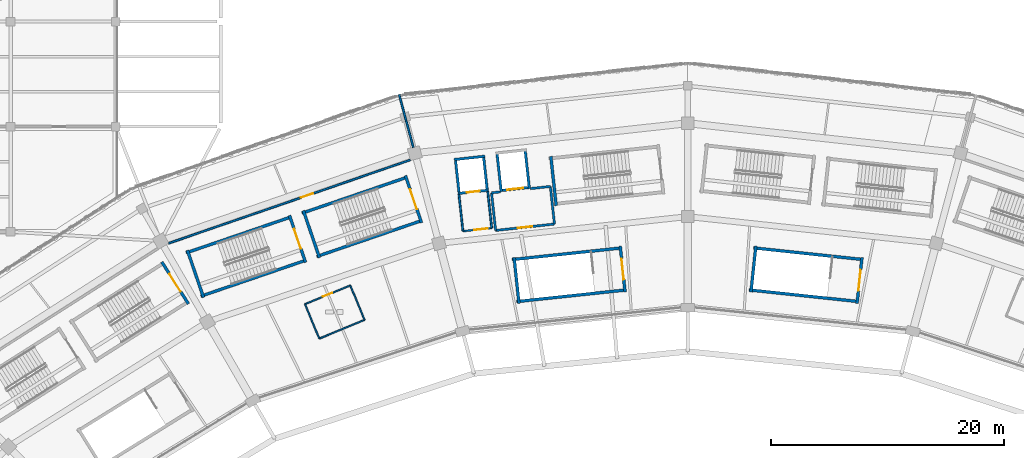
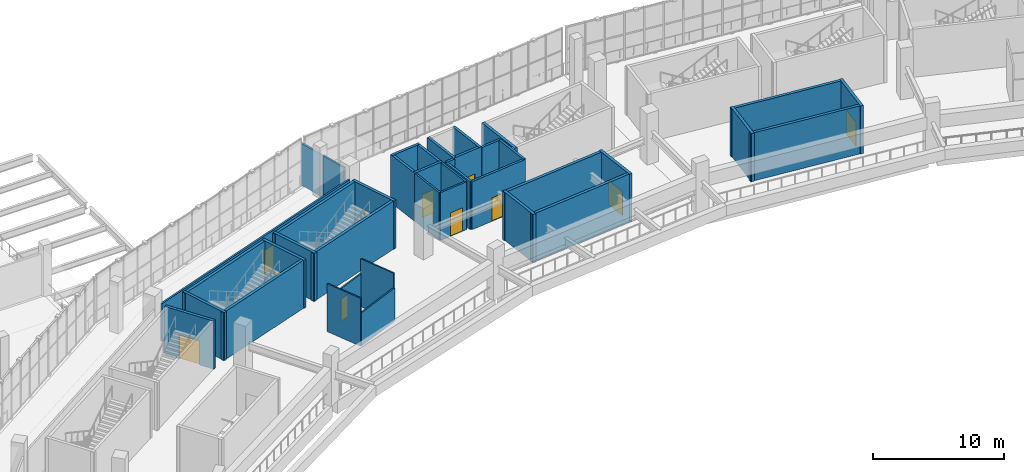
# One storey, part 109 of 179: 40 walls, 11 doors, 11 openings.
"""IFC4 building model written with IfcOpenShell, lengths in metres."""

from ifc_helpers import new_model, si_unit, direction, frame, frame_2d, origin, place, context, subcontext, project, spatial, rectangle, extrude, material, layer, layer_set, type_object, element, fill, save


model = new_model("IFC4")

# Units and contexts
model_context = context("Model", 3, precision=1e-05, world=origin(), true_north=direction((0.0, 1.0)))
body_context = subcontext(model_context, "Body", "Model", "MODEL_VIEW")
ifc_project = project(units=[si_unit("LENGTHUNIT", "METRE"), si_unit("AREAUNIT", "SQUARE_METRE"), si_unit("VOLUMEUNIT", "CUBIC_METRE"), si_unit("PLANEANGLEUNIT", "RADIAN"), si_unit("MASSUNIT", "GRAM", prefix="KILO")], contexts=[model_context])

# Site, building, storey
site_placement = place(None, origin())
site = spatial("IfcSite", under=ifc_project, at=site_placement, CompositionType="ELEMENT")
building_placement = place(site_placement, origin())
building = spatial("IfcBuilding", under=site, at=building_placement, Name="Zevraka Park Crest Stadium", CompositionType="ELEMENT")
storey_placement = place(building_placement, frame((0.0, 0.0, 10.199951171875)))
storey = spatial("IfcBuildingStorey", under=building, at=storey_placement, Name="L02", CompositionType="ELEMENT", Elevation=10.199951171875)

# Walls
ifc_material_1 = material(Name="Autoclaved aerated masonry blockwork", Category="masonry")
ifc_layer_1 = layer(ifc_material_1, 0.199951171875)
ifc_layer_set_1 = layer_set([ifc_layer_1], Name="Autoclaved aerated masonry blockwork")
wall_type_1 = type_object("IfcWallType", Name="IW01", PredefinedType="PARTITIONING", material=ifc_layer_set_1)
wall_1_placement = place(storey_placement, frame((95.195068359375, 161.3349609375, 0.0), z_axis=(0.0, 0.0, 1.0), x_axis=(0.994146742738, 0.108038205757, 0.0)))
element("IfcWall", 1, at=wall_1_placement, inside=storey, type_object=wall_type_1, Name="Firefighting Lift Lobby Wall IW01 FL02 L02 BACKL", PredefinedType="PARTITIONING", context=body_context, shape_type="SweptSolid", body=[
    extrude(rectangle(XDim=0.750244140625, YDim=0.199951171875, at=frame_2d((0.375, 0.0))), origin(), (0.0, 0.0, 1.0), 4.47998046875),
])
wall_2_placement = place(storey_placement, frame((98.52490234375, 161.697998046875, 0.0), z_axis=(0.0, 0.0, 1.0), x_axis=(0.994135511072, 0.108141507414, 0.0)))
element("IfcWall", 2, at=wall_2_placement, inside=storey, type_object=wall_type_1, Name="Firefighting Lift Lobby Wall IW01 FL02 L02 BACKR", PredefinedType="PARTITIONING", context=body_context, shape_type="SweptSolid", body=[
    extrude(rectangle(XDim=1.72021484375, YDim=0.199951171875, at=frame_2d((0.860107421875, 0.0))), origin(), (0.0, 0.0, 1.0), 4.47998046875),
])
for number, where, z_axis, x_axis, name in (
    (3, (95.195068359375, 161.3349609375, 0.0), (0.0, 0.0, 1.0), (0.108280975823, -0.994120329877, 0.0), "Firefighting Lift Lobby Wall IW01 FL02 L02 LEFT"),
    (4, (100.235107421875, 161.884033203125, 0.0), (0.0, 0.0, 1.0), (0.108280975823, -0.994120329877, 0.0), "Firefighting Lift Lobby Wall IW01 FL02 L02 RIGHT"),
):
    element("IfcWall", number, at=place(storey_placement, frame(where, z_axis=z_axis, x_axis=x_axis)), inside=storey, type_object=wall_type_1, Name=name, PredefinedType="PARTITIONING", context=body_context, shape_type="SweptSolid", body=[
        extrude(rectangle(XDim=3.239990234375, YDim=0.199951171875, at=frame_2d((1.6201171875, 0.0))), origin(), (0.0, 0.0, 1.0), 4.47998046875),
    ])

# Wall, opening, door
wall_3_placement = place(storey_placement, frame((95.5458984375, 158.114013671875, 0.0), z_axis=(0.0, 0.0, 1.0), x_axis=(0.994118117986, 0.108301281116, 0.0)))
wall_3 = element("IfcWall", 5, at=wall_3_placement, inside=storey, type_object=wall_type_1, Name="Firefighting Lift Lobby Wall IW01 FL02 L02 FRONT", PredefinedType="PARTITIONING", context=body_context, shape_type="SweptSolid", body=[
    extrude(rectangle(XDim=5.06982421875, YDim=0.199951171875, at=frame_2d((2.534912109375, 0.0))), origin(), (0.0, 0.0, 1.0), 4.47998046875),
])
opening_1_placement = place(wall_3_placement, frame((1.909912109375, 0.0, 0.0)))
opening_1 = element("IfcOpeningElement", 6, at=opening_1_placement, cuts=wall_3, Name="Opening D-L02-297", PredefinedType="OPENING", context=body_context, shape_type="SweptSolid", body=[
    extrude(rectangle(XDim=1.25, YDim=2.199951171875, at=frame_2d((0.625, 1.10009765625))), frame((0.0, 0.10986328125, 0.0), z_axis=(0.0, -1.0, 0.0), x_axis=(1.0, 0.0, 0.0)), (0.0, 0.0, 1.0), 0.219970703125),
])
ifc_material_2 = material(Name="Solid-core hardwood timber leaf in steel frame", Category="steel")
door_type_1 = type_object("IfcDoorType", Name="DR07", OperationType="NOTDEFINED", PredefinedType="DOOR", material=ifc_material_2)
door_1_placement = place(opening_1_placement, origin())
door_1 = element("IfcDoor", 7, at=door_1_placement, inside=storey, type_object=door_type_1, Name="Firefighting Lift Lobby FL02 Door D-L02-297", OperationType="SINGLE_SWING_LEFT", OverallHeight=2.199951171875, OverallWidth=1.25, PredefinedType="DOOR", context=body_context, shape_type="SweptSolid", body=[
    extrude(rectangle(XDim=1.25, YDim=2.199951171875, at=frame_2d((0.625, 1.10009765625))), frame((0.0, 0.02490234375, 0.0), z_axis=(0.0, -1.0, 0.0), x_axis=(1.0, 0.0, 0.0)), (0.0, 0.0, 1.0), 0.050048828125),
])
fill(opening_1, door_1)

# Walls
ifc_material_3 = material(Name="Fire-rated twin-stud acoustic drywall", Category="other")
ifc_layer_2 = layer(ifc_material_3, 0.159912109375)
ifc_layer_set_2 = layer_set([ifc_layer_2], Name="Fire-rated twin-stud acoustic drywall")
wall_type_2 = type_object("IfcWallType", Name="IW02", PredefinedType="PARTITIONING", material=ifc_layer_set_2)
wall_4_placement = place(storey_placement, frame((92.403076171875, 161.200927734375, 0.0), z_axis=(0.0, 0.0, 1.0), x_axis=(0.108800302456, -0.99406362683, 0.0)))
element("IfcWall", 8, at=wall_4_placement, inside=storey, type_object=wall_type_2, Name="Passenger Lift Lobby Wall IW02 PL02 L02 LEFT", PredefinedType="PARTITIONING", context=body_context, shape_type="SweptSolid", body=[
    extrude(rectangle(XDim=3.170654296875, YDim=0.159912109375, at=frame_2d((1.58544921875, 0.0))), origin(), (0.0, 0.0, 1.0), 4.47998046875),
])
wall_5_placement = place(storey_placement, frame((94.868896484375, 161.469970703125, 0.0), z_axis=(0.0, 0.0, 1.0), x_axis=(0.108909733757, -0.994051643474, 0.0)))
element("IfcWall", 9, at=wall_5_placement, inside=storey, type_object=wall_type_2, Name="Passenger Lift Lobby Wall IW02 PL02 L02 RIGHT", PredefinedType="PARTITIONING", context=body_context, shape_type="SweptSolid", body=[
    extrude(rectangle(XDim=3.169677734375, YDim=0.159912109375, at=frame_2d((1.5849609375, 0.0))), origin(), (0.0, 0.0, 1.0), 4.47998046875),
])

# Wall, opening, door
wall_6_placement = place(storey_placement, frame((92.748046875, 158.049072265625, 0.0), z_axis=(0.0, 0.0, 1.0), x_axis=(0.994058887757, 0.1088435927, 0.0)))
wall_6 = element("IfcWall", 10, at=wall_6_placement, inside=storey, type_object=wall_type_2, Name="Passenger Lift Lobby Wall IW02 PL02 L02 FRONT", PredefinedType="PARTITIONING", context=body_context, shape_type="SweptSolid", body=[
    extrude(rectangle(XDim=2.480712890625, YDim=0.159912109375, at=frame_2d((1.240234375, 0.0))), origin(), (0.0, 0.0, 1.0), 4.47998046875),
])
opening_2_placement = place(wall_6_placement, frame((0.962890625, 0.0, 0.0)))
opening_2 = element("IfcOpeningElement", 11, at=opening_2_placement, cuts=wall_6, Name="Opening D-L02-303", PredefinedType="OPENING", context=body_context, shape_type="SweptSolid", body=[
    extrude(rectangle(XDim=1.14990234375, YDim=2.199951171875, at=frame_2d((0.574951171875, 1.10009765625))), frame((0.0, 0.08984375, 0.0), z_axis=(0.0, -1.0, 0.0), x_axis=(1.0, 0.0, 0.0)), (0.0, 0.0, 1.0), 0.179931640625),
])
ifc_material_4 = material(Name="Solid-core hardwood timber leaf in steel frame", Category="steel")
door_type_2 = type_object("IfcDoorType", Name="DR03", OperationType="NOTDEFINED", PredefinedType="DOOR", material=ifc_material_4)
door_2_placement = place(opening_2_placement, origin())
door_2 = element("IfcDoor", 12, at=door_2_placement, inside=storey, type_object=door_type_2, Name="Passenger Lift Lobby PL02 Door D-L02-303", OperationType="SINGLE_SWING_LEFT", OverallHeight=2.199951171875, OverallWidth=1.14990234375, PredefinedType="DOOR", context=body_context, shape_type="SweptSolid", body=[
    extrude(rectangle(XDim=1.14990234375, YDim=2.199951171875, at=frame_2d((0.574951171875, 1.10009765625))), frame((0.0, 0.02490234375, 0.0), z_axis=(0.0, -1.0, 0.0), x_axis=(1.0, 0.0, 0.0)), (0.0, 0.0, 1.0), 0.050048828125),
])
fill(opening_2, door_2)

wall_7_placement = place(storey_placement, frame((88.25390625, 164.162109375, 0.0), z_axis=(0.0, 0.0, 1.0), x_axis=(-0.94529233531, -0.326224463834, 0.0)))
wall_7 = element("IfcWall", 13, at=wall_7_placement, inside=storey, type_object=wall_type_2, Name="Interior Partition IW02 North Park Banquet Hall L02", PredefinedType="PARTITIONING", context=body_context, shape_type="SweptSolid", body=[
    extrude(rectangle(XDim=21.948486328125, YDim=0.159912109375, at=frame_2d((10.97412109375, 0.0))), origin(), (0.0, 0.0, 1.0), 3.56494140625),
])
opening_3_placement = place(wall_7_placement, frame((8.843017578125, 0.0, 0.0)))
opening_3 = element("IfcOpeningElement", 14, at=opening_3_placement, cuts=wall_7, Name="Opening D-L02-404", PredefinedType="OPENING", context=body_context, shape_type="SweptSolid", body=[
    extrude(rectangle(XDim=1.10009765625, YDim=2.14990234375, at=frame_2d((0.550048828125, 1.074951171875))), frame((0.0, 0.08984375, 0.0), z_axis=(0.0, -1.0, 0.0), x_axis=(1.0, 0.0, 0.0)), (0.0, 0.0, 1.0), 0.179931640625),
])
ifc_material_5 = material(Name="Solid-core hardwood timber leaf in steel frame", Category="steel")
door_type_3 = type_object("IfcDoorType", Name="DR10", OperationType="NOTDEFINED", PredefinedType="DOOR", material=ifc_material_5)
door_3_placement = place(opening_3_placement, origin())
door_3 = element("IfcDoor", 15, at=door_3_placement, inside=storey, type_object=door_type_3, Name="North Park Banquet Hall Door D-L02-404", OperationType="SINGLE_SWING_LEFT", OverallHeight=2.14990234375, OverallWidth=1.10009765625, PredefinedType="DOOR", context=body_context, shape_type="SweptSolid", body=[
    extrude(rectangle(XDim=1.10009765625, YDim=2.14990234375, at=frame_2d((0.550048828125, 1.074951171875))), frame((0.0, 0.02490234375, 0.0), z_axis=(0.0, -1.0, 0.0), x_axis=(1.0, 0.0, 0.0)), (0.0, 0.0, 1.0), 0.050048828125),
])
fill(opening_3, door_3)

# Walls
wall_8_placement = place(storey_placement, frame((88.4970703125, 165.22705078125, 0.0), z_axis=(0.0, 0.0, 1.0), x_axis=(-0.258875784953, 0.965910621106, 0.0)))
element("IfcWall", 16, at=wall_8_placement, inside=storey, type_object=wall_type_2, Name="Interior Partition IW02 North Park Banquet Hall L02", PredefinedType="PARTITIONING", context=body_context, shape_type="SweptSolid", body=[
    extrude(rectangle(XDim=2.329345703125, YDim=0.159912109375, at=frame_2d((1.16455078125, 0.0))), origin(), (0.0, 0.0, 1.0), 3.9150390625),
])
wall_9_placement = place(storey_placement, frame((87.89697265625, 167.4619140625, 0.0), z_axis=(0.0, 0.0, 1.0), x_axis=(-0.258436451023, 0.966028260861, 0.0)))
element("IfcWall", 17, at=wall_9_placement, inside=storey, type_object=wall_type_2, Name="Interior Partition IW02 North Park Banquet Hall L02", PredefinedType="PARTITIONING", context=body_context, shape_type="SweptSolid", body=[
    extrude(rectangle(XDim=2.3759765625, YDim=0.159912109375, at=frame_2d((1.18798828125, 0.0))), origin(), (0.0, 0.0, 1.0), 3.9150390625),
])
ifc_material_6 = material(Name="Moisture-resistant sanitary partition", Category="other")
ifc_layer_3 = layer(ifc_material_6, 0.1201171875)
ifc_layer_set_3 = layer_set([ifc_layer_3], Name="Moisture-resistant sanitary partition")
wall_type_3 = type_object("IfcWallType", Name="IW04", PredefinedType="PARTITIONING", material=ifc_layer_set_3)
wall_10_placement = place(storey_placement, frame((84.320068359375, 150.4541015625, 0.0), z_axis=(0.0, 0.0, 1.0), x_axis=(-0.92379928527, -0.38287710892, 0.0)))
element("IfcWall", 18, at=wall_10_placement, inside=storey, type_object=wall_type_3, Name="Sanitary Enclosure Wall IW04 Accessible WC L02-003-1", PredefinedType="PARTITIONING", context=body_context, shape_type="SweptSolid", body=[
    extrude(rectangle(XDim=4.2001953125, YDim=0.1201171875, at=frame_2d((2.10009765625, 0.0))), origin(), (0.0, 0.0, 1.0), 3.113037109375),
])
wall_11_placement = place(storey_placement, frame((80.43994140625, 148.845947265625, 0.0), z_axis=(0.0, 0.0, 1.0), x_axis=(-0.382425909773, 0.923986159818, 0.0)))
element("IfcWall", 19, at=wall_11_placement, inside=storey, type_object=wall_type_3, Name="Sanitary Enclosure Wall IW04 Accessible WC L02-003-2", PredefinedType="PARTITIONING", context=body_context, shape_type="SweptSolid", body=[
    extrude(rectangle(XDim=3.2001953125, YDim=0.1201171875, at=frame_2d((1.60009765625, 0.0))), origin(), (0.0, 0.0, 1.0), 4.47998046875),
])

# Wall, opening, door
wall_12_placement = place(storey_placement, frame((79.216064453125, 151.802978515625, 0.0), z_axis=(0.0, 0.0, 1.0), x_axis=(0.923893548413, 0.382649593233, 0.0)))
wall_12 = element("IfcWall", 20, at=wall_12_placement, inside=storey, type_object=wall_type_3, Name="Sanitary Enclosure Wall IW04 Accessible WC L02-003-3", PredefinedType="PARTITIONING", context=body_context, shape_type="SweptSolid", body=[
    extrude(rectangle(XDim=4.199462890625, YDim=0.1201171875, at=frame_2d((2.099609375, 0.0))), origin(), (0.0, 0.0, 1.0), 3.113037109375),
])
opening_4_placement = place(wall_12_placement, frame((1.659912109375, 0.0, 0.0)))
opening_4 = element("IfcOpeningElement", 21, at=opening_4_placement, cuts=wall_12, Name="Opening D-L02-345", PredefinedType="OPENING", context=body_context, shape_type="SweptSolid", body=[
    extrude(rectangle(XDim=0.8798828125, YDim=2.10009765625, at=frame_2d((0.43994140625, 1.050048828125))), frame((0.0, 0.070068359375, 0.0), z_axis=(0.0, -1.0, 0.0), x_axis=(1.0, 0.0, 0.0)), (0.0, 0.0, 1.0), 0.14013671875),
])
ifc_material_7 = material(Name="Solid-core hardwood timber leaf in steel frame", Category="steel")
door_type_4 = type_object("IfcDoorType", Name="DR19", OperationType="NOTDEFINED", PredefinedType="DOOR", material=ifc_material_7)
door_4_placement = place(opening_4_placement, origin())
door_4 = element("IfcDoor", 22, at=door_4_placement, inside=storey, type_object=door_type_4, Name="Accessible WC Door D-L02-345", OperationType="SINGLE_SWING_LEFT", OverallHeight=2.10009765625, OverallWidth=0.8798828125, PredefinedType="DOOR", context=body_context, shape_type="SweptSolid", body=[
    extrude(rectangle(XDim=0.8798828125, YDim=2.10009765625, at=frame_2d((0.43994140625, 1.050048828125))), frame((0.0, 0.02490234375, 0.0), z_axis=(0.0, -1.0, 0.0), x_axis=(1.0, 0.0, 0.0)), (0.0, 0.0, 1.0), 0.050048828125),
])
fill(opening_4, door_4)

# Walls
wall_13_placement = place(storey_placement, frame((83.095947265625, 153.409912109375, 0.0), z_axis=(0.0, 0.0, 1.0), x_axis=(0.382625877527, -0.923903370406, 0.0)))
element("IfcWall", 23, at=wall_13_placement, inside=storey, type_object=wall_type_3, Name="Sanitary Enclosure Wall IW04 Accessible WC L02-003-4", PredefinedType="PARTITIONING", context=body_context, shape_type="SweptSolid", body=[
    extrude(rectangle(XDim=3.19921875, YDim=0.1201171875, at=frame_2d((1.599609375, 0.0))), origin(), (0.0, 0.0, 1.0), 4.47998046875),
])
ifc_material_8 = material(Name="Concrete C40/50", Category="concrete")
ifc_layer_4 = layer(ifc_material_8, 0.25)
ifc_layer_set_4 = layer_set([ifc_layer_4], Name="Concrete C40/50")
wall_type_4 = type_object("IfcWallType", Name="SW01", PredefinedType="SHEAR", material=ifc_layer_set_4)
wall_14_placement = place(storey_placement, frame((100.2744140625, 164.466064453125, 0.0), z_axis=(0.0, 0.0, 1.0), x_axis=(0.108204479885, -0.994128658944, 0.0)))
element("IfcWall", 24, at=wall_14_placement, inside=storey, type_object=wall_type_4, Name="Stair Core Shear Wall SW01 ST07 L02 far", PredefinedType="SHEAR", context=body_context, shape_type="SweptSolid", body=[
    extrude(rectangle(XDim=4.259765625, YDim=0.25, at=frame_2d((2.1298828125, 0.0))), origin(), (0.0, 0.0, 1.0), 4.5),
])
wall_15_placement = place(storey_placement, frame((87.99267578125, 162.685791015625, 0.0), z_axis=(0.0, 0.0, 1.0), x_axis=(-0.946064424228, -0.323978556712, 0.0)))
element("IfcWall", 25, at=wall_15_placement, inside=storey, type_object=wall_type_4, Name="Stair Core Shear Wall SW01 ST08 L02 left", PredefinedType="SHEAR", context=body_context, shape_type="SweptSolid", body=[
    extrude(rectangle(XDim=9.550048828125, YDim=0.25, at=frame_2d((4.77490234375, 0.0))), origin(), (0.0, 0.0, 1.0), 4.5),
])
wall_16_placement = place(storey_placement, frame((80.2275390625, 155.883056640625, 0.0), z_axis=(0.0, 0.0, 1.0), x_axis=(0.946067107432, 0.323970721263, 0.0)))
element("IfcWall", 26, at=wall_16_placement, inside=storey, type_object=wall_type_4, Name="Stair Core Shear Wall SW01 ST08 L02 right", PredefinedType="SHEAR", context=body_context, shape_type="SweptSolid", body=[
    extrude(rectangle(XDim=9.55029296875, YDim=0.25, at=frame_2d((4.775146484375, 0.0))), origin(), (0.0, 0.0, 1.0), 4.5),
])

# Wall, opening, door
wall_17_placement = place(storey_placement, frame((89.199462890625, 158.77587890625, 0.0), z_axis=(0.0, 0.0, 1.0), x_axis=(-0.323988758717, 0.946060930504, 0.0)))
wall_17 = element("IfcWall", 27, at=wall_17_placement, inside=storey, type_object=wall_type_4, Name="Stair Core Shear Wall SW01 ST08 L02 near", PredefinedType="SHEAR", context=body_context, shape_type="SweptSolid", body=[
    extrude(rectangle(XDim=4.259765625, YDim=0.25, at=frame_2d((2.1298828125, 0.0))), origin(), (0.0, 0.0, 1.0), 4.5),
])
opening_5_placement = place(wall_17_placement, frame((1.22998046875, 0.0, 0.0)))
opening_5 = element("IfcOpeningElement", 28, at=opening_5_placement, cuts=wall_17, Name="Opening D-L02-047", PredefinedType="OPENING", context=body_context, shape_type="SweptSolid", body=[
    extrude(rectangle(XDim=1.800048828125, YDim=2.25, at=frame_2d((0.89990234375, 1.125))), frame((0.0, 0.135009765625, 0.0), z_axis=(0.0, -1.0, 0.0), x_axis=(1.0, 0.0, 0.0)), (0.0, 0.0, 1.0), 0.27001953125),
])
ifc_material_9 = material(Name="Solid-core hardwood timber leaf in steel frame", Category="steel")
door_type_5 = type_object("IfcDoorType", Name="DR04", OperationType="NOTDEFINED", PredefinedType="DOOR", material=ifc_material_9)
door_5_placement = place(opening_5_placement, origin())
door_5 = element("IfcDoor", 29, at=door_5_placement, inside=storey, type_object=door_type_5, Name="Protected Stair Entry Door ST08 L02", OperationType="DOUBLE_DOOR_SINGLE_SWING", OverallHeight=2.25, OverallWidth=1.800048828125, PredefinedType="DOOR", context=body_context, shape_type="SweptSolid", body=[
    extrude(rectangle(XDim=1.800048828125, YDim=2.25, at=frame_2d((0.89990234375, 1.125))), frame((0.0, 0.02490234375, 0.0), z_axis=(0.0, -1.0, 0.0), x_axis=(1.0, 0.0, 0.0)), (0.0, 0.0, 1.0), 0.050048828125),
])
fill(opening_5, door_5)

# Wall
wall_18_placement = place(storey_placement, frame((79.07763671875, 159.8125, 0.0), z_axis=(0.0, 0.0, 1.0), x_axis=(0.323971192516, -0.946066946056, 0.0)))
element("IfcWall", 30, at=wall_18_placement, inside=storey, type_object=wall_type_4, Name="Stair Core Shear Wall SW01 ST08 L02 far", PredefinedType="SHEAR", context=body_context, shape_type="SweptSolid", body=[
    extrude(rectangle(XDim=4.260009765625, YDim=0.25, at=frame_2d((2.1298828125, 0.0))), origin(), (0.0, 0.0, 1.0), 4.5),
])

# Wall, opening, door
wall_19_placement = place(storey_placement, frame((69.232666015625, 151.822998046875, 0.0), z_axis=(0.0, 0.0, 1.0), x_axis=(-0.535684577572, 0.844418162613, 0.0)))
wall_19 = element("IfcWall", 31, at=wall_19_placement, inside=storey, type_object=wall_type_4, Name="Stair Core Shear Wall SW01 ST09 L02 near", PredefinedType="SHEAR", context=body_context, shape_type="SweptSolid", body=[
    extrude(rectangle(XDim=4.260009765625, YDim=0.25, at=frame_2d((2.1298828125, 0.0))), origin(), (0.0, 0.0, 1.0), 4.5),
])
opening_6_placement = place(wall_19_placement, frame((1.22998046875, 0.0, 0.0)))
opening_6 = element("IfcOpeningElement", 32, at=opening_6_placement, cuts=wall_19, Name="Opening D-L02-054", PredefinedType="OPENING", context=body_context, shape_type="SweptSolid", body=[
    extrude(rectangle(XDim=1.800048828125, YDim=2.25, at=frame_2d((0.89990234375, 1.125))), frame((0.0, 0.135009765625, 0.0), z_axis=(0.0, -1.0, 0.0), x_axis=(1.0, 0.0, 0.0)), (0.0, 0.0, 1.0), 0.27001953125),
])
door_6_placement = place(opening_6_placement, origin())
door_6 = element("IfcDoor", 33, at=door_6_placement, inside=storey, type_object=door_type_5, Name="Protected Stair Entry Door ST09 L02", OperationType="DOUBLE_DOOR_SINGLE_SWING", OverallHeight=2.25, OverallWidth=1.800048828125, PredefinedType="DOOR", context=body_context, shape_type="SweptSolid", body=[
    extrude(rectangle(XDim=1.800048828125, YDim=2.25, at=frame_2d((0.89990234375, 1.125))), frame((0.0, 0.02490234375, 0.0), z_axis=(0.0, -1.0, 0.0), x_axis=(1.0, 0.0, 0.0)), (0.0, 0.0, 1.0), 0.050048828125),
])
fill(opening_6, door_6)

# Walls
for number, where, z_axis, x_axis, name in (
    (34, (78.05859375, 159.28466796875, 0.0), (0.0, 0.0, 1.0), (-0.946064424228, -0.323978556712, 0.0), "Stair Core Shear Wall SW01 ST27 L02 left"),
    (35, (70.293701171875, 152.482177734375, 0.0), (0.0, 0.0, 1.0), (0.946064424228, 0.323978556712, 0.0), "Stair Core Shear Wall SW01 ST27 L02 right"),
):
    element("IfcWall", number, at=place(storey_placement, frame(where, z_axis=z_axis, x_axis=x_axis)), inside=storey, type_object=wall_type_4, Name=name, PredefinedType="SHEAR", context=body_context, shape_type="SweptSolid", body=[
        extrude(rectangle(XDim=9.550048828125, YDim=0.25, at=frame_2d((4.77490234375, 0.0))), origin(), (0.0, 0.0, 1.0), 4.5),
    ])

# Wall, opening, door
wall_20_placement = place(storey_placement, frame((79.265380859375, 155.374755859375, 0.0), z_axis=(0.0, 0.0, 1.0), x_axis=(-0.323971192516, 0.946066946056, 0.0)))
wall_20 = element("IfcWall", 36, at=wall_20_placement, inside=storey, type_object=wall_type_4, Name="Stair Core Shear Wall SW01 ST27 L02 near", PredefinedType="SHEAR", context=body_context, shape_type="SweptSolid", body=[
    extrude(rectangle(XDim=4.260009765625, YDim=0.25, at=frame_2d((2.1298828125, 0.0))), origin(), (0.0, 0.0, 1.0), 4.5),
])
opening_7_placement = place(wall_20_placement, frame((1.22998046875, 0.0, 0.0)))
opening_7 = element("IfcOpeningElement", 37, at=opening_7_placement, cuts=wall_20, Name="Opening D-L02-158", PredefinedType="OPENING", context=body_context, shape_type="SweptSolid", body=[
    extrude(rectangle(XDim=1.800048828125, YDim=2.25, at=frame_2d((0.89990234375, 1.125))), frame((0.0, 0.135009765625, 0.0), z_axis=(0.0, -1.0, 0.0), x_axis=(1.0, 0.0, 0.0)), (0.0, 0.0, 1.0), 0.27001953125),
])
door_7_placement = place(opening_7_placement, origin())
door_7 = element("IfcDoor", 38, at=door_7_placement, inside=storey, type_object=door_type_5, Name="Protected Stair Entry Door ST27 L02", OperationType="DOUBLE_DOOR_SINGLE_SWING", OverallHeight=2.25, OverallWidth=1.800048828125, PredefinedType="DOOR", context=body_context, shape_type="SweptSolid", body=[
    extrude(rectangle(XDim=1.800048828125, YDim=2.25, at=frame_2d((0.89990234375, 1.125))), frame((0.0, 0.02490234375, 0.0), z_axis=(0.0, -1.0, 0.0), x_axis=(1.0, 0.0, 0.0)), (0.0, 0.0, 1.0), 0.050048828125),
])
fill(opening_7, door_7)

# Walls
wall_21_placement = place(storey_placement, frame((69.1435546875, 156.411376953125, 0.0), z_axis=(0.0, 0.0, 1.0), x_axis=(0.323988758717, -0.946060930504, 0.0)))
element("IfcWall", 39, at=wall_21_placement, inside=storey, type_object=wall_type_4, Name="Stair Core Shear Wall SW01 ST27 L02 far", PredefinedType="SHEAR", context=body_context, shape_type="SweptSolid", body=[
    extrude(rectangle(XDim=4.259765625, YDim=0.25, at=frame_2d((2.1298828125, 0.0))), origin(), (0.0, 0.0, 1.0), 4.5),
])
for number, where, z_axis, x_axis, name in (
    (40, (127.0361328125, 155.6201171875, 0.0), (0.0, 0.0, 1.0), (-0.994382608826, 0.105845298736, 0.0), "Stair Core Shear Wall SW01 ST35 L02 left"),
    (41, (117.255859375, 153.020751953125, 0.0), (0.0, 0.0, 1.0), (0.994382608826, -0.105845298736, 0.0), "Stair Core Shear Wall SW01 ST35 L02 right"),
):
    element("IfcWall", number, at=place(storey_placement, frame(where, z_axis=z_axis, x_axis=x_axis)), inside=storey, type_object=wall_type_4, Name=name, PredefinedType="SHEAR", context=body_context, shape_type="SweptSolid", body=[
        extrude(rectangle(XDim=9.449951171875, YDim=0.25, at=frame_2d((4.72509765625, 0.0))), origin(), (0.0, 0.0, 1.0), 4.5),
    ])

# Wall, opening, door
wall_22_placement = place(storey_placement, frame((126.510498046875, 151.864501953125, 0.0), z_axis=(0.0, 0.0, 1.0), x_axis=(0.105856095603, 0.994381459513, 0.0)))
wall_22 = element("IfcWall", 42, at=wall_22_placement, inside=storey, type_object=wall_type_4, Name="Stair Core Shear Wall SW01 ST35 L02 near", PredefinedType="SHEAR", context=body_context, shape_type="SweptSolid", body=[
    extrude(rectangle(XDim=3.9599609375, YDim=0.25, at=frame_2d((1.97998046875, 0.0))), origin(), (0.0, 0.0, 1.0), 4.5),
])
opening_8_placement = place(wall_22_placement, frame((1.080078125, 0.0, 0.0)))
opening_8 = element("IfcOpeningElement", 43, at=opening_8_placement, cuts=wall_22, Name="Opening D-L02-196", PredefinedType="OPENING", context=body_context, shape_type="SweptSolid", body=[
    extrude(rectangle(XDim=1.800048828125, YDim=2.25, at=frame_2d((0.89990234375, 1.125))), frame((0.0, 0.135009765625, 0.0), z_axis=(0.0, -1.0, 0.0), x_axis=(1.0, 0.0, 0.0)), (0.0, 0.0, 1.0), 0.27001953125),
])
door_8_placement = place(opening_8_placement, origin())
door_8 = element("IfcDoor", 44, at=door_8_placement, inside=storey, type_object=door_type_5, Name="Protected Stair Entry Door ST35 L02", OperationType="DOUBLE_DOOR_SINGLE_SWING", OverallHeight=2.25, OverallWidth=1.800048828125, PredefinedType="DOOR", context=body_context, shape_type="SweptSolid", body=[
    extrude(rectangle(XDim=1.800048828125, YDim=2.25, at=frame_2d((0.89990234375, 1.125))), frame((0.0, 0.02490234375, 0.0), z_axis=(0.0, -1.0, 0.0), x_axis=(1.0, 0.0, 0.0)), (0.0, 0.0, 1.0), 0.050048828125),
])
fill(opening_8, door_8)

# Walls
wall_23_placement = place(storey_placement, frame((117.841064453125, 156.769775390625, 0.0), z_axis=(0.0, 0.0, 1.0), x_axis=(-0.105856095603, -0.994381459513, 0.0)))
element("IfcWall", 45, at=wall_23_placement, inside=storey, type_object=wall_type_4, Name="Stair Core Shear Wall SW01 ST35 L02 far", PredefinedType="SHEAR", context=body_context, shape_type="SweptSolid", body=[
    extrude(rectangle(XDim=3.9599609375, YDim=0.25, at=frame_2d((1.97998046875, 0.0))), origin(), (0.0, 0.0, 1.0), 4.5),
])
wall_24_placement = place(storey_placement, frame((106.361083984375, 156.6201171875, 0.0), z_axis=(0.0, 0.0, 1.0), x_axis=(-0.994379889371, -0.105870844028, 0.0)))
element("IfcWall", 46, at=wall_24_placement, inside=storey, type_object=wall_type_4, Name="Stair Core Shear Wall SW01 ST36 L02 left", PredefinedType="SHEAR", context=body_context, shape_type="SweptSolid", body=[
    extrude(rectangle(XDim=9.4501953125, YDim=0.25, at=frame_2d((4.72509765625, 0.0))), origin(), (0.0, 0.0, 1.0), 4.5),
])
wall_25_placement = place(storey_placement, frame((97.347412109375, 152.02001953125, 0.0), z_axis=(0.0, 0.0, 1.0), x_axis=(0.994382608826, 0.105845298736, 0.0)))
element("IfcWall", 47, at=wall_25_placement, inside=storey, type_object=wall_type_4, Name="Stair Core Shear Wall SW01 ST36 L02 right", PredefinedType="SHEAR", context=body_context, shape_type="SweptSolid", body=[
    extrude(rectangle(XDim=9.449951171875, YDim=0.25, at=frame_2d((4.72509765625, 0.0))), origin(), (0.0, 0.0, 1.0), 4.5),
])

# Wall, opening, door
wall_26_placement = place(storey_placement, frame((106.637939453125, 152.838134765625, 0.0), z_axis=(0.0, 0.0, 1.0), x_axis=(-0.105856095603, 0.994381459513, 0.0)))
wall_26 = element("IfcWall", 48, at=wall_26_placement, inside=storey, type_object=wall_type_4, Name="Stair Core Shear Wall SW01 ST36 L02 near", PredefinedType="SHEAR", context=body_context, shape_type="SweptSolid", body=[
    extrude(rectangle(XDim=3.9599609375, YDim=0.25, at=frame_2d((1.97998046875, 0.0))), origin(), (0.0, 0.0, 1.0), 4.5),
])
opening_9_placement = place(wall_26_placement, frame((1.080078125, 0.0, 0.0)))
opening_9 = element("IfcOpeningElement", 49, at=opening_9_placement, cuts=wall_26, Name="Opening D-L02-200", PredefinedType="OPENING", context=body_context, shape_type="SweptSolid", body=[
    extrude(rectangle(XDim=1.800048828125, YDim=2.25, at=frame_2d((0.89990234375, 1.125))), frame((0.0, 0.135009765625, 0.0), z_axis=(0.0, -1.0, 0.0), x_axis=(1.0, 0.0, 0.0)), (0.0, 0.0, 1.0), 0.27001953125),
])
door_9_placement = place(opening_9_placement, origin())
door_9 = element("IfcDoor", 50, at=door_9_placement, inside=storey, type_object=door_type_5, Name="Protected Stair Entry Door ST36 L02", OperationType="DOUBLE_DOOR_SINGLE_SWING", OverallHeight=2.25, OverallWidth=1.800048828125, PredefinedType="DOOR", context=body_context, shape_type="SweptSolid", body=[
    extrude(rectangle(XDim=1.800048828125, YDim=2.25, at=frame_2d((0.89990234375, 1.125))), frame((0.0, 0.02490234375, 0.0), z_axis=(0.0, -1.0, 0.0), x_axis=(1.0, 0.0, 0.0)), (0.0, 0.0, 1.0), 0.050048828125),
])
fill(opening_9, door_9)

# Walls
wall_27_placement = place(storey_placement, frame((97.130126953125, 155.808349609375, 0.0), z_axis=(0.0, 0.0, 1.0), x_axis=(0.105856095603, -0.994381459513, 0.0)))
element("IfcWall", 51, at=wall_27_placement, inside=storey, type_object=wall_type_4, Name="Stair Core Shear Wall SW01 ST36 L02 far", PredefinedType="SHEAR", context=body_context, shape_type="SweptSolid", body=[
    extrude(rectangle(XDim=3.9599609375, YDim=0.25, at=frame_2d((1.97998046875, 0.0))), origin(), (0.0, 0.0, 1.0), 4.5),
])
ifc_material_10 = material(Name="Concrete C40/50", Category="concrete")
ifc_layer_5 = layer(ifc_material_10, 0.219970703125)
ifc_layer_set_5 = layer_set([ifc_layer_5], Name="Concrete C40/50")
wall_type_5 = type_object("IfcWallType", Name="SW02", PredefinedType="SHEAR", material=ifc_layer_set_5)
wall_28_placement = place(storey_placement, frame((95.656005859375, 164.844970703125, 0.0), z_axis=(0.0, 0.0, 1.0), x_axis=(0.108748511736, -0.994069293961, 0.0)))
element("IfcWall", 52, at=wall_28_placement, inside=storey, type_object=wall_type_5, Name="Lift Shaft Shear Wall SW02 FL02 L02-2", PredefinedType="SHEAR", context=body_context, shape_type="SweptSolid", body=[
    extrude(rectangle(XDim=3.439453125, YDim=0.219970703125, at=frame_2d((1.7197265625, 0.0))), origin(), (0.0, 0.0, 1.0), 4.5),
])

# Wall, opening, door
wall_29_placement = place(storey_placement, frame((95.908935546875, 161.52294921875, 0.0), z_axis=(0.0, 0.0, 1.0), x_axis=(0.994067317545, 0.108766576613, 0.0)))
wall_29 = element("IfcWall", 53, at=wall_29_placement, inside=storey, type_object=wall_type_5, Name="Lift Shaft Shear Wall SW02 FL02 L02-3", PredefinedType="SHEAR", context=body_context, shape_type="SweptSolid", body=[
    extrude(rectangle(XDim=2.6396484375, YDim=0.219970703125, at=frame_2d((1.31982421875, 0.0))), origin(), (0.0, 0.0, 1.0), 4.5),
])
opening_10_placement = place(wall_29_placement, frame((0.6201171875, 0.0, 0.0)))
opening_10 = element("IfcOpeningElement", 54, at=opening_10_placement, cuts=wall_29, Name="Opening LD-FL02-L02", PredefinedType="OPENING", context=body_context, shape_type="SweptSolid", body=[
    extrude(rectangle(XDim=1.39990234375, YDim=2.199951171875, at=frame_2d((0.699951171875, 1.10009765625))), frame((0.0, 0.119873046875, 0.0), z_axis=(0.0, -1.0, 0.0), x_axis=(1.0, 0.0, 0.0)), (0.0, 0.0, 1.0), 0.239990234375),
])
ifc_material_11 = material(Name="Brushed stainless steel lift landing doors", Category="steel")
door_type_6 = type_object("IfcDoorType", Name="LD01", OperationType="NOTDEFINED", PredefinedType="DOOR", material=ifc_material_11)
door_10_placement = place(opening_10_placement, origin())
door_10 = element("IfcDoor", 55, at=door_10_placement, inside=storey, type_object=door_type_6, Name="Lift Sliding Landing Door LD-FL02-L02", OperationType="SLIDING_TO_LEFT", OverallHeight=2.199951171875, OverallWidth=1.39990234375, PredefinedType="DOOR", context=body_context, shape_type="SweptSolid", body=[
    extrude(rectangle(XDim=1.39990234375, YDim=2.199951171875, at=frame_2d((0.699951171875, 1.10009765625))), frame((0.0, 0.02490234375, 0.0), z_axis=(0.0, -1.0, 0.0), x_axis=(1.0, 0.0, 0.0)), (0.0, 0.0, 1.0), 0.050048828125),
])
fill(opening_10, door_10)

# Walls
wall_30_placement = place(storey_placement, frame((98.43603515625, 161.68896484375, 0.0), z_axis=(0.0, 0.0, 1.0), x_axis=(-0.108748511736, 0.994069293961, 0.0)))
element("IfcWall", 56, at=wall_30_placement, inside=storey, type_object=wall_type_5, Name="Lift Shaft Shear Wall SW02 FL02 L02-4", PredefinedType="SHEAR", context=body_context, shape_type="SweptSolid", body=[
    extrude(rectangle(XDim=3.439453125, YDim=0.219970703125, at=frame_2d((1.7197265625, 0.0))), origin(), (0.0, 0.0, 1.0), 4.5),
])
wall_31_placement = place(storey_placement, frame((94.62109375, 164.470947265625, 0.0), z_axis=(0.0, 0.0, 1.0), x_axis=(-0.994072941705, -0.108715162556, 0.0)))
element("IfcWall", 57, at=wall_31_placement, inside=storey, type_object=wall_type_5, Name="Lift Shaft Shear Wall SW02 PL02 L02-1", PredefinedType="SHEAR", context=body_context, shape_type="SweptSolid", body=[
    extrude(rectangle(XDim=2.638671875, YDim=0.219970703125, at=frame_2d((1.3193359375, 0.0))), origin(), (0.0, 0.0, 1.0), 4.5),
])
wall_32_placement = place(storey_placement, frame((92.094970703125, 164.304931640625, 0.0), z_axis=(0.0, 0.0, 1.0), x_axis=(0.108638937738, -0.99408127495, 0.0)))
element("IfcWall", 58, at=wall_32_placement, inside=storey, type_object=wall_type_5, Name="Lift Shaft Shear Wall SW02 PL02 L02-2", PredefinedType="SHEAR", context=body_context, shape_type="SweptSolid", body=[
    extrude(rectangle(XDim=3.139404296875, YDim=0.219970703125, at=frame_2d((1.56982421875, 0.0))), origin(), (0.0, 0.0, 1.0), 4.5),
])

# Wall, opening, door
wall_33_placement = place(storey_placement, frame((92.31494140625, 161.281005859375, 0.0), z_axis=(0.0, 0.0, 1.0), x_axis=(0.994062938508, 0.108806591184, 0.0)))
wall_33 = element("IfcWall", 59, at=wall_33_placement, inside=storey, type_object=wall_type_5, Name="Lift Shaft Shear Wall SW02 PL02 L02-3", PredefinedType="SHEAR", context=body_context, shape_type="SweptSolid", body=[
    extrude(rectangle(XDim=2.638671875, YDim=0.219970703125, at=frame_2d((1.3193359375, 0.0))), origin(), (0.0, 0.0, 1.0), 4.5),
])
opening_11_placement = place(wall_33_placement, frame((0.76904296875, 0.0, 0.0)))
opening_11 = element("IfcOpeningElement", 60, at=opening_11_placement, cuts=wall_33, Name="Opening LD-PL02-L02", PredefinedType="OPENING", context=body_context, shape_type="SweptSolid", body=[
    extrude(rectangle(XDim=1.10009765625, YDim=2.14990234375, at=frame_2d((0.550048828125, 1.074951171875))), frame((0.0, 0.119873046875, 0.0), z_axis=(0.0, -1.0, 0.0), x_axis=(1.0, 0.0, 0.0)), (0.0, 0.0, 1.0), 0.239990234375),
])
ifc_material_12 = material(Name="Brushed stainless steel lift landing doors", Category="steel")
door_type_7 = type_object("IfcDoorType", Name="LD02", OperationType="NOTDEFINED", PredefinedType="DOOR", material=ifc_material_12)
door_11_placement = place(opening_11_placement, origin())
door_11 = element("IfcDoor", 61, at=door_11_placement, inside=storey, type_object=door_type_7, Name="Lift Sliding Landing Door LD-PL02-L02", OperationType="SLIDING_TO_LEFT", OverallHeight=2.14990234375, OverallWidth=1.10009765625, PredefinedType="DOOR", context=body_context, shape_type="SweptSolid", body=[
    extrude(rectangle(XDim=1.10009765625, YDim=2.14990234375, at=frame_2d((0.550048828125, 1.074951171875))), frame((0.0, 0.02490234375, 0.0), z_axis=(0.0, -1.0, 0.0), x_axis=(1.0, 0.0, 0.0)), (0.0, 0.0, 1.0), 0.050048828125),
])
fill(opening_11, door_11)

# Wall
wall_34_placement = place(storey_placement, frame((94.841064453125, 161.447021484375, 0.0), z_axis=(0.0, 0.0, 1.0), x_axis=(-0.108630539984, 0.99408219267, 0.0)))
element("IfcWall", 62, at=wall_34_placement, inside=storey, type_object=wall_type_5, Name="Lift Shaft Shear Wall SW02 PL02 L02-4", PredefinedType="SHEAR", context=body_context, shape_type="SweptSolid", body=[
    extrude(rectangle(XDim=3.1396484375, YDim=0.219970703125, at=frame_2d((1.56982421875, 0.0))), origin(), (0.0, 0.0, 1.0), 4.5),
])

save(model, "model.ifc")
